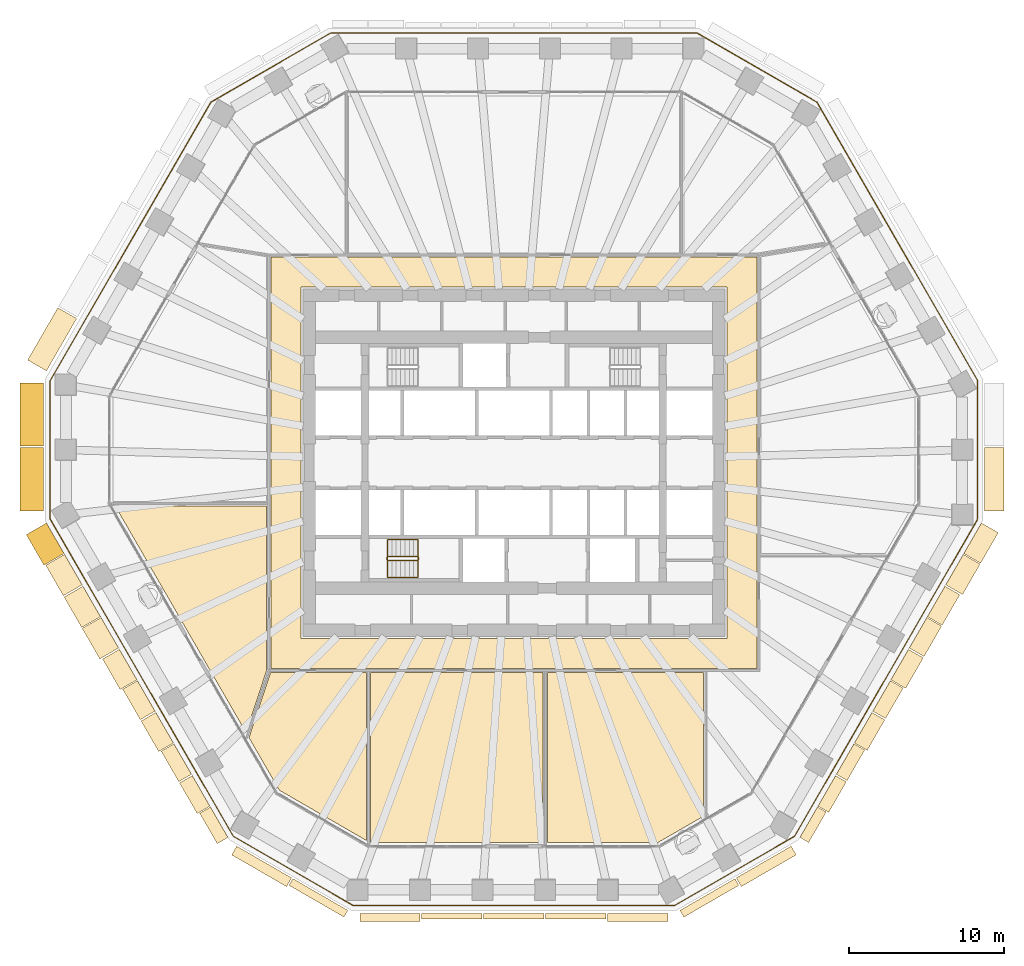
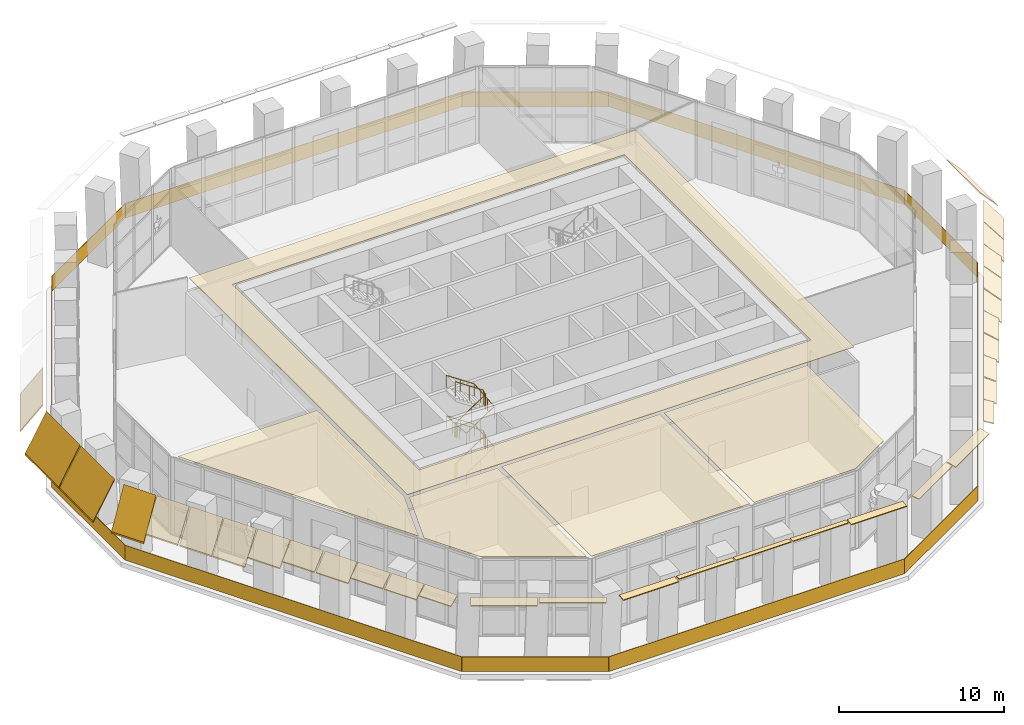
# One storey, part 18 of 22: 38 coverings, 3 railings.
"""IFC4 building model written with IfcOpenShell, lengths in metres."""

from ifc_helpers import new_model, si_unit, direction, frame, origin, origin_2d, place, context, subcontext, project, spatial, polyline, rectangle, circle, outline, extrude, material, layer, layer_set, type_object, element, save


model = new_model("IFC4")

# Units and contexts
model_context = context("Model", 3, precision=1e-05, world=origin(), true_north=direction((0.0, 1.0)))
body_context = subcontext(model_context, "Body", "Model", "MODEL_VIEW")
ifc_project = project(units=[si_unit("LENGTHUNIT", "METRE"), si_unit("AREAUNIT", "SQUARE_METRE"), si_unit("VOLUMEUNIT", "CUBIC_METRE"), si_unit("PLANEANGLEUNIT", "RADIAN"), si_unit("MASSUNIT", "GRAM", prefix="KILO")], contexts=[model_context])

# Site, building, storey
site_placement = place(None, origin())
site = spatial("IfcSite", under=ifc_project, at=site_placement, CompositionType="ELEMENT")
building_placement = place(site_placement, origin())
building = spatial("IfcBuilding", under=site, at=building_placement, Name="Frailejon Research Tower", CompositionType="ELEMENT")
storey_placement = place(building_placement, frame((0.0, 0.0, 107.199951171875)))
storey = spatial("IfcBuildingStorey", under=building, at=storey_placement, Name="L23", CompositionType="ELEMENT", Elevation=107.199951171875)

# Coverings
ifc_material_1 = material(Name="Precast concrete C50/60", Category="concrete")
ifc_layer_1 = layer(ifc_material_1, 0.06005859375)
ifc_layer_set_1 = layer_set([ifc_layer_1], Name="Brim blade depth 1100")
covering_type_1 = type_object("IfcCoveringType", Name="Brim blade depth 1100", PredefinedType="CLADDING", material=ifc_layer_set_1)
for number, where, z_axis, x_axis, name in (
    (1, (-23.141357421875, -16.017822265625, 5.85009765625), (-0.500002270085, 0.866024093147, 0.0), (-0.866024093147, -0.500002270085, 0.0), "Brim blade L23"),
    (2, (-21.955810546875, -18.0712890625, 5.85009765625), (-0.499993061742, 0.866029409553, 0.0), (-0.866029409553, -0.499993061742, 0.0), "Brim blade L23"),
    (3, (25.4423828125, -12.0322265625, 5.85009765625), (-0.500002270085, -0.866024093147, 0.0), (0.866024093147, -0.500002270085, 0.0), "Brim blade L23"),
):
    element("IfcCovering", number, at=place(storey_placement, frame(where, z_axis=z_axis, x_axis=x_axis)), inside=storey, type_object=covering_type_1, Name=name, PredefinedType="CLADDING", context=body_context, shape_type="SweptSolid", body=[
        extrude(outline(polyline([(0.0, -0.078369140625), (1.10009765625, -1.001220703125), (1.10009765625, -0.923095703125), (0.0, 0.0), (0.0, -0.078369140625)])), origin(), (0.0, 0.0, 1.0), 2.27099609375),
    ])
for number, where, z_axis, x_axis, name in (
    (4, (26.628173828125, -9.978759765625, 5.85009765625), (-0.500009011095, -0.866020201164, 0.0), (0.866020201164, -0.500009011095, 0.0), "Brim blade L23"),
    (5, (27.793701171875, -7.9599609375, 5.85009765625), (-0.500009011095, -0.866020201164, 0.0), (0.866020201164, -0.500009011095, 0.0), "Brim blade L23"),
):
    element("IfcCovering", number, at=place(storey_placement, frame(where, z_axis=z_axis, x_axis=x_axis)), inside=storey, type_object=covering_type_1, Name=name, PredefinedType="CLADDING", context=body_context, shape_type="SweptSolid", body=[
        extrude(outline(polyline([(0.0, -0.078369140625), (1.10009765625, -1.001220703125), (1.10009765625, -0.923095703125), (0.0, 0.0), (0.0, -0.078369140625)])), origin(), (0.0, 0.0, 1.0), 2.271240234375),
    ])
ifc_material_2 = material(Name="Precast concrete C50/60", Category="concrete")
ifc_layer_2 = layer(ifc_material_2, 0.06005859375)
ifc_layer_set_2 = layer_set([ifc_layer_2], Name="Brim blade depth 1250")
covering_type_2 = type_object("IfcCoveringType", Name="Brim blade depth 1250", PredefinedType="CLADDING", material=ifc_layer_set_2)
covering_1_placement = place(storey_placement, frame((30.3505859375, 0.96826171875, 5.85009765625), z_axis=(0.0, -1.0, 0.0), x_axis=(1.0, 0.0, 0.0)))
element("IfcCovering", 6, at=covering_1_placement, inside=storey, type_object=covering_type_2, Name="Brim blade L23", PredefinedType="CLADDING", context=body_context, shape_type="SweptSolid", body=[
    extrude(outline(polyline([(0.0, -0.0888671875), (1.25, -1.452880859375), (1.25, -1.364013671875), (0.0, 0.0), (0.0, -0.0888671875)])), origin(), (0.0, 0.0, 1.0), 4.087646484375),
])
for number, where, z_axis, x_axis, name in (
    (7, (-24.306884765625, -13.9990234375, 5.85009765625), (-0.500002270085, 0.866024093147, 0.0), (-0.866024093147, -0.500002270085, 0.0), "Brim blade L23"),
    (8, (28.979248046875, -5.906494140625, 5.85009765625), (-0.500002270085, -0.866024093147, 0.0), (0.866024093147, -0.500002270085, 0.0), "Brim blade L23"),
    (9, (30.144775390625, -3.8876953125, 5.85009765625), (-0.500002270085, -0.866024093147, 0.0), (0.866024093147, -0.500002270085, 0.0), "Brim blade L23"),
):
    element("IfcCovering", number, at=place(storey_placement, frame(where, z_axis=z_axis, x_axis=x_axis)), inside=storey, type_object=covering_type_2, Name=name, PredefinedType="CLADDING", context=body_context, shape_type="SweptSolid", body=[
        extrude(outline(polyline([(0.0, -0.0888671875), (1.25, -1.452880859375), (1.25, -1.364013671875), (0.0, 0.0), (0.0, -0.0888671875)])), origin(), (0.0, 0.0, 1.0), 2.27099609375),
    ])
ifc_material_3 = material(Name="Precast concrete C50/60", Category="concrete")
ifc_layer_3 = layer(ifc_material_3, 0.06005859375)
ifc_layer_set_3 = layer_set([ifc_layer_3], Name="Brim blade depth 1400")
covering_type_3 = type_object("IfcCoveringType", Name="Brim blade depth 1400", PredefinedType="CLADDING", material=ifc_layer_set_3)
covering_2_placement = place(storey_placement, frame((-30.144775390625, 5.924072265625, 5.85009765625), z_axis=(0.500003286261, 0.866023506452, 0.0), x_axis=(-0.866023506452, 0.500003286261, 0.0)))
element("IfcCovering", 10, at=covering_2_placement, inside=storey, type_object=covering_type_3, Name="Brim blade L23", PredefinedType="CLADDING", context=body_context, shape_type="SweptSolid", body=[
    extrude(outline(polyline([(0.0, -0.1044921875), (1.39990234375, -2.10400390625), (1.39990234375, -1.99951171875), (0.0, 0.0), (0.0, -0.1044921875)])), origin(), (0.0, 0.0, 1.0), 3.896728515625),
])
covering_3_placement = place(storey_placement, frame((-27.84375, -7.873291015625, 5.85009765625), z_axis=(-0.500002270085, 0.866024093147, 0.0), x_axis=(-0.866024093147, -0.500002270085, 0.0)))
element("IfcCovering", 11, at=covering_3_placement, inside=storey, type_object=covering_type_3, Name="Brim blade L23", PredefinedType="CLADDING", context=body_context, shape_type="SweptSolid", body=[
    extrude(outline(polyline([(0.0, -0.1044921875), (1.39990234375, -2.10400390625), (1.39990234375, -1.99951171875), (0.0, 0.0), (0.0, -0.1044921875)])), origin(), (0.0, 0.0, 1.0), 2.27099609375),
])
for number, where, z_axis, x_axis, name in (
    (12, (-26.658203125, -9.9267578125, 5.85009765625), (-0.500009011095, 0.866020201164, 0.0), (-0.866020201164, -0.500009011095, 0.0), "Brim blade L23"),
    (13, (-25.492431640625, -11.945556640625, 5.85009765625), (-0.500009011095, 0.866020201164, 0.0), (-0.866020201164, -0.500009011095, 0.0), "Brim blade L23"),
):
    element("IfcCovering", number, at=place(storey_placement, frame(where, z_axis=z_axis, x_axis=x_axis)), inside=storey, type_object=covering_type_3, Name=name, PredefinedType="CLADDING", context=body_context, shape_type="SweptSolid", body=[
        extrude(outline(polyline([(0.0, -0.1044921875), (1.39990234375, -2.10400390625), (1.39990234375, -1.99951171875), (0.0, 0.0), (0.0, -0.1044921875)])), origin(), (0.0, 0.0, 1.0), 2.271240234375),
    ])
ifc_material_4 = material(Name="Precast concrete C50/60", Category="concrete")
ifc_layer_4 = layer(ifc_material_4, 0.06005859375)
ifc_layer_set_4 = layer_set([ifc_layer_4], Name="Brim blade depth 1500")
covering_type_4 = type_object("IfcCoveringType", Name="Brim blade depth 1500", PredefinedType="CLADDING", material=ifc_layer_set_4)
for number, where, z_axis, x_axis, name in (
    (14, (-30.3505859375, 1.068115234375, 5.85009765625), (0.0, 1.0, 0.0), (-1.0, 0.0, 0.0), "Brim blade L23"),
    (15, (-30.3505859375, -3.119384765625, 5.85009765625), (0.0, 1.0, 0.0), (-1.0, 0.0, 0.0), "Brim blade L23"),
):
    element("IfcCovering", number, at=place(storey_placement, frame(where, z_axis=z_axis, x_axis=x_axis)), inside=storey, type_object=covering_type_4, Name=name, PredefinedType="CLADDING", context=body_context, shape_type="SweptSolid", body=[
        extrude(outline(polyline([(0.0, -0.1201171875), (1.5, -2.718017578125), (1.5, -2.59814453125), (0.0, 0.0), (0.0, -0.1201171875)])), origin(), (0.0, 0.0, 1.0), 4.087646484375),
    ])
covering_4_placement = place(storey_placement, frame((-29.00927734375, -5.8544921875, 5.85009765625), z_axis=(-0.500002270085, 0.866024093147, 0.0), x_axis=(-0.866024093147, -0.500002270085, 0.0)))
element("IfcCovering", 16, at=covering_4_placement, inside=storey, type_object=covering_type_4, Name="Brim blade L23", PredefinedType="CLADDING", context=body_context, shape_type="SweptSolid", body=[
    extrude(outline(polyline([(0.0, -0.1201171875), (1.5, -2.718017578125), (1.5, -2.59814453125), (0.0, 0.0), (0.0, -0.1201171875)])), origin(), (0.0, 0.0, 1.0), 2.27099609375),
])
ifc_material_5 = material(Name="Precast concrete C50/60", Category="concrete")
ifc_layer_5 = layer(ifc_material_5, 0.06005859375)
ifc_layer_set_5 = layer_set([ifc_layer_5], Name="Brim blade depth 350")
covering_type_5 = type_object("IfcCoveringType", Name="Brim blade depth 350", PredefinedType="CLADDING", material=ifc_layer_set_5)
for number, where, z_axis, x_axis, name in (
    (17, (-2.04833984375, -29.068115234375, 5.85009765625), (-1.0, 0.0, 0.0), (0.0, -1.0, 0.0), "Brim blade L23"),
    (18, (1.948486328125, -29.068115234375, 5.85009765625), (-1.0, 0.0, 0.0), (0.0, -1.0, 0.0), "Brim blade L23"),
    (19, (5.9453125, -29.068115234375, 5.85009765625), (-1.0, 0.0, 0.0), (0.0, -1.0, 0.0), "Brim blade L23"),
):
    element("IfcCovering", number, at=place(storey_placement, frame(where, z_axis=z_axis, x_axis=x_axis)), inside=storey, type_object=covering_type_5, Name=name, PredefinedType="CLADDING", context=body_context, shape_type="SweptSolid", body=[
        extrude(outline(polyline([(0.0, -0.06005859375), (0.35009765625, -0.06005859375), (0.35009765625, 0.0), (0.0, 0.0), (0.0, -0.06005859375)])), origin(), (0.0, 0.0, 1.0), 3.896728515625),
    ])
ifc_material_6 = material(Name="Precast concrete C50/60", Category="concrete")
ifc_layer_6 = layer(ifc_material_6, 0.06005859375)
ifc_layer_set_6 = layer_set([ifc_layer_6], Name="Brim blade depth 500")
covering_type_6 = type_object("IfcCoveringType", Name="Brim blade depth 500", PredefinedType="CLADDING", material=ifc_layer_set_6)
covering_5_placement = place(storey_placement, frame((-10.710205078125, -28.8623046875, 5.85009765625), z_axis=(-0.866021344981, 0.500007029989, 0.0), x_axis=(-0.500007029989, -0.866021344981, 0.0)))
element("IfcCovering", 20, at=covering_5_placement, inside=storey, type_object=covering_type_6, Name="Brim blade L23", PredefinedType="CLADDING", context=body_context, shape_type="SweptSolid", body=[
    extrude(outline(polyline([(0.0, -0.060546875), (0.5, -0.130859375), (0.5, -0.0703125), (0.0, 0.0), (0.0, -0.060546875)])), origin(), (0.0, 0.0, 1.0), 4.08740234375),
])
for number, where, z_axis, x_axis, name in (
    (21, (-6.045166015625, -29.068115234375, 5.85009765625), (-1.0, 0.0, 0.0), (0.0, -1.0, 0.0), "Brim blade L23"),
    (22, (9.94189453125, -29.068115234375, 5.85009765625), (-1.0, 0.0, 0.0), (0.0, -1.0, 0.0), "Brim blade L23"),
):
    element("IfcCovering", number, at=place(storey_placement, frame(where, z_axis=z_axis, x_axis=x_axis)), inside=storey, type_object=covering_type_6, Name=name, PredefinedType="CLADDING", context=body_context, shape_type="SweptSolid", body=[
        extrude(outline(polyline([(0.0, -0.060546875), (0.5, -0.130859375), (0.5, -0.0703125), (0.0, 0.0), (0.0, -0.060546875)])), origin(), (0.0, 0.0, 1.0), 3.896728515625),
    ])
covering_6_placement = place(storey_placement, frame((14.250244140625, -26.818603515625, 5.85009765625), z_axis=(-0.866021344981, -0.500007029989, 0.0), x_axis=(0.500007029989, -0.866021344981, 0.0)))
element("IfcCovering", 23, at=covering_6_placement, inside=storey, type_object=covering_type_6, Name="Brim blade L23", PredefinedType="CLADDING", context=body_context, shape_type="SweptSolid", body=[
    extrude(outline(polyline([(0.0, -0.060546875), (0.5, -0.130859375), (0.5, -0.0703125), (0.0, 0.0), (0.0, -0.060546875)])), origin(), (0.0, 0.0, 1.0), 4.08740234375),
])
ifc_material_7 = material(Name="Precast concrete C50/60", Category="concrete")
ifc_layer_7 = layer(ifc_material_7, 0.06005859375)
ifc_layer_set_7 = layer_set([ifc_layer_7], Name="Brim blade depth 650")
covering_type_7 = type_object("IfcCoveringType", Name="Brim blade depth 650", PredefinedType="CLADDING", material=ifc_layer_set_7)
for number, where, z_axis, x_axis, name in (
    (24, (-14.3369140625, -26.7685546875, 5.85009765625), (-0.866027315287, 0.499996689166, 0.0), (-0.499996689166, -0.866027315287, 0.0), "Brim blade L23"),
    (25, (17.876708984375, -24.724609375, 5.85009765625), (-0.866027315287, -0.499996689166, 0.0), (0.499996689166, -0.866027315287, 0.0), "Brim blade L23"),
):
    element("IfcCovering", number, at=place(storey_placement, frame(where, z_axis=z_axis, x_axis=x_axis)), inside=storey, type_object=covering_type_7, Name=name, PredefinedType="CLADDING", context=body_context, shape_type="SweptSolid", body=[
        extrude(outline(polyline([(0.0, -0.0625), (0.64990234375, -0.248779296875), (0.64990234375, -0.186279296875), (0.0, 0.0), (0.0, -0.0625)])), origin(), (0.0, 0.0, 1.0), 4.087646484375),
    ])
covering_7_placement = place(storey_placement, frame((19.57470703125, -22.195556640625, 5.85009765625), z_axis=(-0.500002270085, -0.866024093147, 0.0), x_axis=(0.866024093147, -0.500002270085, 0.0)))
element("IfcCovering", 26, at=covering_7_placement, inside=storey, type_object=covering_type_7, Name="Brim blade L23", PredefinedType="CLADDING", context=body_context, shape_type="SweptSolid", body=[
    extrude(outline(polyline([(0.0, -0.0625), (0.64990234375, -0.248779296875), (0.64990234375, -0.186279296875), (0.0, 0.0), (0.0, -0.0625)])), origin(), (0.0, 0.0, 1.0), 2.27099609375),
])
ifc_material_8 = material(Name="Precast concrete C50/60", Category="concrete")
ifc_layer_8 = layer(ifc_material_8, 0.06005859375)
ifc_layer_set_8 = layer_set([ifc_layer_8], Name="Brim blade depth 800")
covering_type_8 = type_object("IfcCoveringType", Name="Brim blade depth 800", PredefinedType="CLADDING", material=ifc_layer_set_8)
for number, where, z_axis, x_axis, name in (
    (27, (-18.439208984375, -24.162353515625, 5.85009765625), (-0.500002270085, 0.866024093147, 0.0), (-0.866024093147, -0.500002270085, 0.0), "Brim blade L23"),
    (28, (20.740234375, -20.1767578125, 5.85009765625), (-0.500002270085, -0.866024093147, 0.0), (0.866024093147, -0.500002270085, 0.0), "Brim blade L23"),
    (29, (21.92578125, -18.123291015625, 5.85009765625), (-0.499993061742, -0.866029409553, 0.0), (0.866029409553, -0.499993061742, 0.0), "Brim blade L23"),
):
    element("IfcCovering", number, at=place(storey_placement, frame(where, z_axis=z_axis, x_axis=x_axis)), inside=storey, type_object=covering_type_8, Name=name, PredefinedType="CLADDING", context=body_context, shape_type="SweptSolid", body=[
        extrude(outline(polyline([(0.0, -0.065673828125), (0.800048828125, -0.421875), (0.800048828125, -0.356201171875), (0.0, 0.0), (0.0, -0.065673828125)])), origin(), (0.0, 0.0, 1.0), 2.27099609375),
    ])
ifc_material_9 = material(Name="Precast concrete C50/60", Category="concrete")
ifc_layer_9 = layer(ifc_material_9, 0.06005859375)
ifc_layer_set_9 = layer_set([ifc_layer_9], Name="Brim blade depth 950")
covering_type_9 = type_object("IfcCoveringType", Name="Brim blade depth 950", PredefinedType="CLADDING", material=ifc_layer_set_9)
for number, where, z_axis, x_axis, name in (
    (30, (-20.790283203125, -20.090087890625, 5.85009765625), (-0.499993061742, 0.866029409553, 0.0), (-0.866029409553, -0.499993061742, 0.0), "Brim blade L23"),
    (31, (-19.604736328125, -22.1435546875, 5.85009765625), (-0.500002270085, 0.866024093147, 0.0), (-0.866024093147, -0.500002270085, 0.0), "Brim blade L23"),
    (32, (23.09130859375, -16.1044921875, 5.85009765625), (-0.499993061742, -0.866029409553, 0.0), (0.866029409553, -0.499993061742, 0.0), "Brim blade L23"),
    (33, (24.277099609375, -14.051025390625, 5.85009765625), (-0.500002270085, -0.866024093147, 0.0), (0.866024093147, -0.500002270085, 0.0), "Brim blade L23"),
):
    element("IfcCovering", number, at=place(storey_placement, frame(where, z_axis=z_axis, x_axis=x_axis)), inside=storey, type_object=covering_type_9, Name=name, PredefinedType="CLADDING", context=body_context, shape_type="SweptSolid", body=[
        extrude(outline(polyline([(0.0, -0.07080078125), (0.949951171875, -0.664306640625), (0.949951171875, -0.593505859375), (0.0, 0.0), (0.0, -0.07080078125)])), origin(), (0.0, 0.0, 1.0), 2.27099609375),
    ])

# Railings
ifc_material_10 = material(Name="Laminated glass balustrade", Category="glass")
railing_type_1 = type_object("IfcRailingType", Name="Glass guard 1100", PredefinedType="GUARDRAIL", material=ifc_material_10)
railing_1_placement = place(storey_placement, frame((29.906494140625, -3.6298828125, 0.0)))
element("IfcRailing", 34, at=railing_1_placement, inside=storey, type_object=railing_type_1, Name="Loggia guard L23", PredefinedType="GUARDRAIL", context=body_context, shape_type="SweptSolid", body=[
    extrude(rectangle(XDim=8.9189453125, YDim=0.030029296875, at=origin_2d()), frame((0.0, 4.45947265625, 0.0), z_axis=(0.0, 0.0, 1.0), x_axis=(0.0, 1.0, 0.0)), (0.0, 0.0, 1.0), 1.10009765625),
    extrude(rectangle(XDim=20.74560546875, YDim=0.030029296875, at=origin_2d()), frame((-5.1865234375, 17.902099609375, 0.0), z_axis=(0.0, 0.0, 1.0), x_axis=(-0.499998179069, 0.866026455097, 0.0)), (0.0, 0.0, 1.0), 1.10009765625),
    extrude(rectangle(XDim=8.918701171875, YDim=0.030029296875, at=origin_2d()), frame((-14.23486328125, 29.11474609375, 0.0), z_axis=(0.0, 0.0, 1.0), x_axis=(-0.866032876802, 0.49998705613, 0.0)), (0.0, 0.0, 1.0), 1.10009765625),
    extrude(rectangle(XDim=23.61962890625, YDim=0.030029296875, at=origin_2d()), frame((-29.906494140625, 31.344482421875, 0.0), z_axis=(0.0, 0.0, 1.0), x_axis=(-1.0, 0.0, 0.0)), (0.0, 0.0, 1.0), 1.10009765625),
    extrude(rectangle(XDim=8.918701171875, YDim=0.030029296875, at=origin_2d()), frame((-45.578125, 29.11474609375, 0.0), z_axis=(0.0, 0.0, 1.0), x_axis=(-0.866032876802, -0.49998705613, 0.0)), (0.0, 0.0, 1.0), 1.10009765625),
    extrude(rectangle(XDim=20.74560546875, YDim=0.030029296875, at=origin_2d()), frame((-54.62646484375, 17.902099609375, 0.0), z_axis=(0.0, 0.0, 1.0), x_axis=(-0.499998179069, -0.866026455097, 0.0)), (0.0, 0.0, 1.0), 1.10009765625),
    extrude(rectangle(XDim=8.9189453125, YDim=0.030029296875, at=origin_2d()), frame((-59.81298828125, 4.45947265625, 0.0), z_axis=(0.0, 0.0, 1.0), x_axis=(0.0, -1.0, 0.0)), (0.0, 0.0, 1.0), 1.10009765625),
    extrude(rectangle(XDim=23.61962890625, YDim=0.030029296875, at=origin_2d()), frame((-53.908203125, -10.2275390625, 0.0), z_axis=(0.0, 0.0, 1.0), x_axis=(0.50000220976, -0.866024127975, 0.0)), (0.0, 0.0, 1.0), 1.10009765625),
    extrude(rectangle(XDim=8.918701171875, YDim=0.030029296875, at=origin_2d()), frame((-44.14111328125, -22.684814453125, 0.0), z_axis=(0.0, 0.0, 1.0), x_axis=(0.866021023613, -0.500007586602, 0.0)), (0.0, 0.0, 1.0), 1.10009765625),
    extrude(rectangle(XDim=20.74560546875, YDim=0.030029296875, at=origin_2d()), frame((-29.906494140625, -24.91455078125, 0.0), z_axis=(0.0, 0.0, 1.0), x_axis=(1.0, 0.0, 0.0)), (0.0, 0.0, 1.0), 1.10009765625),
    extrude(rectangle(XDim=8.918701171875, YDim=0.030029296875, at=origin_2d()), frame((-15.671875, -22.684814453125, 0.0), z_axis=(0.0, 0.0, 1.0), x_axis=(0.866021023613, 0.500007586602, 0.0)), (0.0, 0.0, 1.0), 1.10009765625),
    extrude(rectangle(XDim=23.549560546875, YDim=0.030029296875, at=origin_2d()), frame((-5.92236328125, -10.2578125, 0.0), z_axis=(0.0, 0.0, 1.0), x_axis=(0.500003638159, 0.866023303282, 0.0)), (0.0, 0.0, 1.0), 1.10009765625),
])
ifc_material_11 = material(Name="Stainless steel", Category="steel")
railing_type_2 = type_object("IfcRailingType", Name="Stair guard 1100", PredefinedType="GUARDRAIL", material=ifc_material_11)
railing_2_placement = place(storey_placement, frame((-8.199951171875, -6.10009765625, 0.0)))
element("IfcRailing", 35, at=railing_2_placement, inside=storey, type_object=railing_type_2, Name="L23 ST2 stair guard 1", PredefinedType="GUARDRAIL", context=body_context, shape_type="SweptSolid", body=[
    extrude(circle(Radius=0.02392578125, at=origin_2d()), frame((0.0, 0.0, 1.076171875), z_axis=(0.0, -1.0, 0.0), x_axis=(1.0, 0.0, 0.0)), (0.0, 0.0, 1.0), 0.14990234375),
    extrude(circle(Radius=0.02392578125, at=origin_2d()), frame((0.0, -0.14990234375, 1.076171875), z_axis=(0.249726431254, -0.249726431254, 0.935560483917), x_axis=(0.707106781187, 0.707106781187, 0.0)), (0.0, 0.0, 1.0), 0.200439453125),
    extrude(circle(Radius=0.02392578125, at=origin_2d()), frame((0.050048828125, -0.199951171875, 1.263671875), z_axis=(0.830902050051, 0.0, 0.556418712142), x_axis=(0.0, 1.0, 0.0)), (0.0, 0.0, 1.0), 2.35888671875),
    extrude(circle(Radius=0.02392578125, at=origin_2d()), frame((2.010009765625, -0.199951171875, 2.576171875), z_axis=(0.707106781187, 0.707106781187, 0.0), x_axis=(-0.707106781187, 0.707106781187, 0.0)), (0.0, 0.0, 1.0), 0.07080078125),
    extrude(circle(Radius=0.02392578125, at=origin_2d()), frame((2.06005859375, -0.14990234375, 2.576171875), z_axis=(0.0, 1.0, 0.0), x_axis=(-1.0, 0.0, 0.0)), (0.0, 0.0, 1.0), 0.14990234375),
    extrude(circle(Radius=0.02392578125, at=origin_2d()), frame((2.06005859375, 0.0, 2.576171875), z_axis=(-0.249726431254, 0.249726431254, 0.935560483917), x_axis=(-0.707106781187, -0.707106781187, 0.0)), (0.0, 0.0, 1.0), 0.200439453125),
    extrude(circle(Radius=0.02392578125, at=origin_2d()), frame((2.010009765625, 0.050048828125, 2.763671875), z_axis=(-0.830902050051, 0.0, 0.556418712142), x_axis=(0.0, -1.0, 0.0)), (0.0, 0.0, 1.0), 2.35888671875),
    extrude(circle(Radius=0.02392578125, at=origin_2d()), frame((0.050048828125, 0.050048828125, 4.076171875), z_axis=(-0.707106781187, -0.707106781187, 0.0), x_axis=(0.707106781187, -0.707106781187, 0.0)), (0.0, 0.0, 1.0), 0.07080078125),
    extrude(circle(Radius=0.02392578125, at=origin_2d()), frame((0.0, 0.0, 4.076171875), z_axis=(0.0, -1.0, 0.0), x_axis=(1.0, 0.0, 0.0)), (0.0, 0.0, 1.0), 0.14990234375),
    extrude(circle(Radius=0.02392578125, at=origin_2d()), frame((0.0, -0.14990234375, 4.076171875), z_axis=(0.249726431254, -0.249726431254, 0.935560483917), x_axis=(0.707106781187, 0.707106781187, 0.0)), (0.0, 0.0, 1.0), 0.200439453125),
    extrude(circle(Radius=0.02392578125, at=origin_2d()), frame((0.050048828125, -0.199951171875, 4.263671875), z_axis=(0.830902050051, 0.0, 0.556418712142), x_axis=(0.0, 1.0, 0.0)), (0.0, 0.0, 1.0), 2.35888671875),
    extrude(circle(Radius=0.02392578125, at=origin_2d()), frame((2.010009765625, -0.199951171875, 5.576171875), z_axis=(0.707106781187, 0.707106781187, 0.0), x_axis=(-0.707106781187, 0.707106781187, 0.0)), (0.0, 0.0, 1.0), 0.07080078125),
    extrude(circle(Radius=0.02392578125, at=origin_2d()), frame((2.06005859375, -0.14990234375, 5.576171875), z_axis=(0.0, 1.0, 0.0), x_axis=(-1.0, 0.0, 0.0)), (0.0, 0.0, 1.0), 0.14990234375),
    extrude(circle(Radius=0.02392578125, at=origin_2d()), frame((2.06005859375, 0.0, 5.576171875), z_axis=(-0.249726431254, 0.249726431254, 0.935560483917), x_axis=(-0.707106781187, -0.707106781187, 0.0)), (0.0, 0.0, 1.0), 0.200439453125),
    extrude(circle(Radius=0.02392578125, at=origin_2d()), frame((2.010009765625, 0.050048828125, 5.763671875), z_axis=(-0.830902050051, 0.0, 0.556418712142), x_axis=(0.0, -1.0, 0.0)), (0.0, 0.0, 1.0), 2.35888671875),
    extrude(circle(Radius=0.02099609375, at=origin_2d()), origin(), (0.0, 0.0, 1.0), 1.052001953125),
    extrude(circle(Radius=0.02099609375, at=origin_2d()), frame((0.0, -0.14990234375, 0.0)), (0.0, 0.0, 1.0), 1.052001953125),
    extrude(circle(Radius=0.02099609375, at=origin_2d()), frame((0.050048828125, -0.199951171875, 0.1875)), (0.0, 0.0, 1.0), 1.052001953125),
    extrude(circle(Radius=0.02099609375, at=origin_2d()), frame((1.030029296875, -0.199951171875, 0.84375)), (0.0, 0.0, 1.0), 1.052001953125),
    extrude(circle(Radius=0.02099609375, at=origin_2d()), frame((2.010009765625, -0.199951171875, 1.5)), (0.0, 0.0, 1.0), 1.052001953125),
    extrude(circle(Radius=0.02099609375, at=origin_2d()), frame((2.06005859375, -0.14990234375, 1.5)), (0.0, 0.0, 1.0), 1.052001953125),
    extrude(circle(Radius=0.02099609375, at=origin_2d()), frame((2.06005859375, 0.0, 1.5)), (0.0, 0.0, 1.0), 1.052001953125),
    extrude(circle(Radius=0.02099609375, at=origin_2d()), frame((2.010009765625, 0.050048828125, 1.6875)), (0.0, 0.0, 1.0), 1.052001953125),
    extrude(circle(Radius=0.02099609375, at=origin_2d()), frame((1.030029296875, 0.050048828125, 2.34375)), (0.0, 0.0, 1.0), 1.052001953125),
    extrude(circle(Radius=0.02099609375, at=origin_2d()), frame((0.050048828125, 0.050048828125, 3.0)), (0.0, 0.0, 1.0), 1.052001953125),
    extrude(circle(Radius=0.02099609375, at=origin_2d()), frame((0.0, 0.0, 3.0)), (0.0, 0.0, 1.0), 1.052001953125),
    extrude(circle(Radius=0.02099609375, at=origin_2d()), frame((0.0, -0.14990234375, 3.0)), (0.0, 0.0, 1.0), 1.052001953125),
    extrude(circle(Radius=0.02099609375, at=origin_2d()), frame((0.050048828125, -0.199951171875, 3.1875)), (0.0, 0.0, 1.0), 1.052001953125),
    extrude(circle(Radius=0.02099609375, at=origin_2d()), frame((1.030029296875, -0.199951171875, 3.84375)), (0.0, 0.0, 1.0), 1.052001953125),
    extrude(circle(Radius=0.02099609375, at=origin_2d()), frame((2.010009765625, -0.199951171875, 4.5)), (0.0, 0.0, 1.0), 1.052001953125),
    extrude(circle(Radius=0.02099609375, at=origin_2d()), frame((2.06005859375, -0.14990234375, 4.5)), (0.0, 0.0, 1.0), 1.052001953125),
    extrude(circle(Radius=0.02099609375, at=origin_2d()), frame((2.06005859375, 0.0, 4.5)), (0.0, 0.0, 1.0), 1.052001953125),
    extrude(circle(Radius=0.02099609375, at=origin_2d()), frame((2.010009765625, 0.050048828125, 4.6875)), (0.0, 0.0, 1.0), 1.052001953125),
    extrude(circle(Radius=0.02099609375, at=origin_2d()), frame((1.030029296875, 0.050048828125, 5.34375)), (0.0, 0.0, 1.0), 1.052001953125),
    extrude(circle(Radius=0.02099609375, at=origin_2d()), frame((0.050048828125, 0.050048828125, 6.0)), (0.0, 0.0, 1.0), 1.052001953125),
])
ifc_material_12 = material(Name="Stainless steel", Category="steel")
railing_type_3 = type_object("IfcRailingType", Name="Stair handrail 900", PredefinedType="HANDRAIL", material=ifc_material_12)
railing_3_placement = place(storey_placement, frame((-8.14990234375, -7.39990234375, 0.1875)))
element("IfcRailing", 36, at=railing_3_placement, inside=storey, type_object=railing_type_3, Name="L23 ST2 stair handrail 1", PredefinedType="HANDRAIL", context=body_context, shape_type="SweptSolid", body=[
    extrude(circle(Radius=0.02392578125, at=origin_2d()), frame((0.0, 0.0, 0.8759765625), z_axis=(0.830902050051, 0.0, 0.556418712142), x_axis=(0.0, 1.0, 0.0)), (0.0, 0.0, 1.0), 2.35888671875),
    extrude(circle(Radius=0.02392578125, at=origin_2d()), frame((1.9599609375, 0.0, 2.1884765625), z_axis=(0.0, 0.997084218397, 0.07630898652), x_axis=(-1.0, 0.0, 0.0)), (0.0, 0.0, 1.0), 2.45703125),
    extrude(circle(Radius=0.02392578125, at=origin_2d()), frame((1.9599609375, 2.449951171875, 2.3759765625), z_axis=(-0.830902050051, 0.0, 0.556418712142), x_axis=(0.0, -1.0, 0.0)), (0.0, 0.0, 1.0), 2.35888671875),
    extrude(circle(Radius=0.02392578125, at=origin_2d()), frame((0.0, 2.449951171875, 3.6884765625), z_axis=(0.0, -0.997084218397, 0.07630898652), x_axis=(1.0, 0.0, 0.0)), (0.0, 0.0, 1.0), 2.45703125),
    extrude(circle(Radius=0.02392578125, at=origin_2d()), frame((0.0, 0.0, 3.8759765625), z_axis=(0.830902050051, 0.0, 0.556418712142), x_axis=(0.0, 1.0, 0.0)), (0.0, 0.0, 1.0), 2.35888671875),
    extrude(circle(Radius=0.02392578125, at=origin_2d()), frame((1.9599609375, 0.0, 5.1884765625), z_axis=(0.0, 0.997084218397, 0.07630898652), x_axis=(-1.0, 0.0, 0.0)), (0.0, 0.0, 1.0), 2.45703125),
    extrude(circle(Radius=0.02392578125, at=origin_2d()), frame((1.9599609375, 2.449951171875, 5.3759765625), z_axis=(-0.830902050051, 0.0, 0.556418712142), x_axis=(0.0, -1.0, 0.0)), (0.0, 0.0, 1.0), 2.35888671875),
    extrude(circle(Radius=0.02099609375, at=origin_2d()), origin(), (0.0, 0.0, 1.0), 0.851806640625),
    extrude(circle(Radius=0.02099609375, at=origin_2d()), frame((0.97998046875, 0.0, 0.65625)), (0.0, 0.0, 1.0), 0.851806640625),
    extrude(circle(Radius=0.02099609375, at=origin_2d()), frame((1.9599609375, 0.0, 1.3125)), (0.0, 0.0, 1.0), 0.851806640625),
    extrude(circle(Radius=0.02099609375, at=origin_2d()), frame((1.9599609375, 0.816650390625, 1.375)), (0.0, 0.0, 1.0), 0.851806640625),
    extrude(circle(Radius=0.02099609375, at=origin_2d()), frame((1.9599609375, 1.63330078125, 1.4375)), (0.0, 0.0, 1.0), 0.851806640625),
    extrude(circle(Radius=0.02099609375, at=origin_2d()), frame((1.9599609375, 2.449951171875, 1.5)), (0.0, 0.0, 1.0), 0.851806640625),
    extrude(circle(Radius=0.02099609375, at=origin_2d()), frame((0.97998046875, 2.449951171875, 2.15625)), (0.0, 0.0, 1.0), 0.851806640625),
    extrude(circle(Radius=0.02099609375, at=origin_2d()), frame((0.0, 2.449951171875, 2.8125)), (0.0, 0.0, 1.0), 0.851806640625),
    extrude(circle(Radius=0.02099609375, at=origin_2d()), frame((0.0, 1.63330078125, 2.875)), (0.0, 0.0, 1.0), 0.851806640625),
    extrude(circle(Radius=0.02099609375, at=origin_2d()), frame((0.0, 0.816650390625, 2.9375)), (0.0, 0.0, 1.0), 0.851806640625),
    extrude(circle(Radius=0.02099609375, at=origin_2d()), frame((0.0, 0.0, 3.0)), (0.0, 0.0, 1.0), 0.851806640625),
    extrude(circle(Radius=0.02099609375, at=origin_2d()), frame((0.97998046875, 0.0, 3.65625)), (0.0, 0.0, 1.0), 0.851806640625),
    extrude(circle(Radius=0.02099609375, at=origin_2d()), frame((1.9599609375, 0.0, 4.3125)), (0.0, 0.0, 1.0), 0.851806640625),
    extrude(circle(Radius=0.02099609375, at=origin_2d()), frame((1.9599609375, 0.816650390625, 4.375)), (0.0, 0.0, 1.0), 0.851806640625),
    extrude(circle(Radius=0.02099609375, at=origin_2d()), frame((1.9599609375, 1.63330078125, 4.4375)), (0.0, 0.0, 1.0), 0.851806640625),
    extrude(circle(Radius=0.02099609375, at=origin_2d()), frame((1.9599609375, 2.449951171875, 4.5)), (0.0, 0.0, 1.0), 0.851806640625),
    extrude(circle(Radius=0.02099609375, at=origin_2d()), frame((0.97998046875, 2.449951171875, 5.15625)), (0.0, 0.0, 1.0), 0.851806640625),
    extrude(circle(Radius=0.02099609375, at=origin_2d()), frame((0.0, 2.449951171875, 5.8125)), (0.0, 0.0, 1.0), 0.851806640625),
])

# Coverings
ifc_material_13 = material(Name="Mineral fibre ceiling board")
ifc_layer_10 = layer(ifc_material_13, 0.0400390625)
ifc_layer_set_10 = layer_set([ifc_layer_10], Name="Suspended ceiling 40")
covering_type_10 = type_object("IfcCoveringType", Name="Suspended ceiling 40", PredefinedType="CEILING", material=ifc_layer_set_10)
covering_8_placement = place(storey_placement, frame((0.0, 0.0, 5.66015625)))
element("IfcCovering", 37, at=covering_8_placement, inside=storey, type_object=covering_type_10, Name="Ceiling Sky lobby L23-001", PredefinedType="CEILING", context=body_context, shape_type="SweptSolid", body=[
    extrude(outline(polyline([(15.659912109375, 13.260009765625), (-15.659912109375, 13.260009765625), (-15.659912109375, -13.260009765625), (15.659912109375, -13.260009765625), (15.659912109375, 13.260009765625)]), holes=[polyline([(-13.739990234375, -11.340087890625), (-13.739990234375, 11.340087890625), (13.739990234375, 11.340087890625), (13.739990234375, -11.340087890625), (-13.739990234375, -11.340087890625)])]), origin(), (0.0, 0.0, 1.0), 0.039794921875),
])
covering_9_placement = place(storey_placement, frame((0.0, 0.0, 5.66015625)))
element("IfcCovering", 38, at=covering_9_placement, inside=storey, type_object=covering_type_10, Name="Ceiling Fitness room L23-007", PredefinedType="CEILING", context=body_context, shape_type="SweptSolid", body=[
    extrude(outline(polyline([(-15.93994140625, -13.37744140625), (-15.93994140625, -2.7744140625), (-25.718505859375, -2.7744140625), (-17.273681640625, -17.40087890625), (-15.93994140625, -13.37744140625)])), origin(), (0.0, 0.0, 1.0), 0.039794921875),
])
covering_10_placement = place(storey_placement, frame((0.0, 0.0, 5.66015625)))
element("IfcCovering", 39, at=covering_10_placement, inside=storey, type_object=covering_type_10, Name="Ceiling Cafe L23-008", PredefinedType="CEILING", context=body_context, shape_type="SweptSolid", body=[
    extrude(outline(polyline([(-9.517333984375, -13.5400390625), (-15.698974609375, -13.5400390625), (-17.08642578125, -17.7255859375), (-15.12841796875, -21.11669921875), (-9.517333984375, -24.356201171875), (-9.517333984375, -13.5400390625)])), origin(), (0.0, 0.0, 1.0), 0.039794921875),
])
covering_11_placement = place(storey_placement, frame((0.0, 0.0, 5.66015625)))
element("IfcCovering", 40, at=covering_11_placement, inside=storey, type_object=covering_type_10, Name="Ceiling Library reading room L23-009", PredefinedType="CEILING", context=body_context, shape_type="SweptSolid", body=[
    extrude(outline(polyline([(1.880126953125, -24.48974609375), (1.880126953125, -13.5400390625), (-9.2373046875, -13.5400390625), (-9.2373046875, -24.48974609375), (1.880126953125, -24.48974609375)])), origin(), (0.0, 0.0, 1.0), 0.039794921875),
])
covering_12_placement = place(storey_placement, frame((0.0, 0.0, 5.66015625)))
element("IfcCovering", 41, at=covering_12_placement, inside=storey, type_object=covering_type_10, Name="Ceiling Seminar room L23-010", PredefinedType="CEILING", context=body_context, shape_type="SweptSolid", body=[
    extrude(outline(polyline([(12.2373046875, -13.5400390625), (2.16015625, -13.5400390625), (2.16015625, -24.48974609375), (9.286376953125, -24.48974609375), (12.2373046875, -22.785888671875), (12.2373046875, -13.5400390625)])), origin(), (0.0, 0.0, 1.0), 0.039794921875),
])

save(model, "model.ifc")
